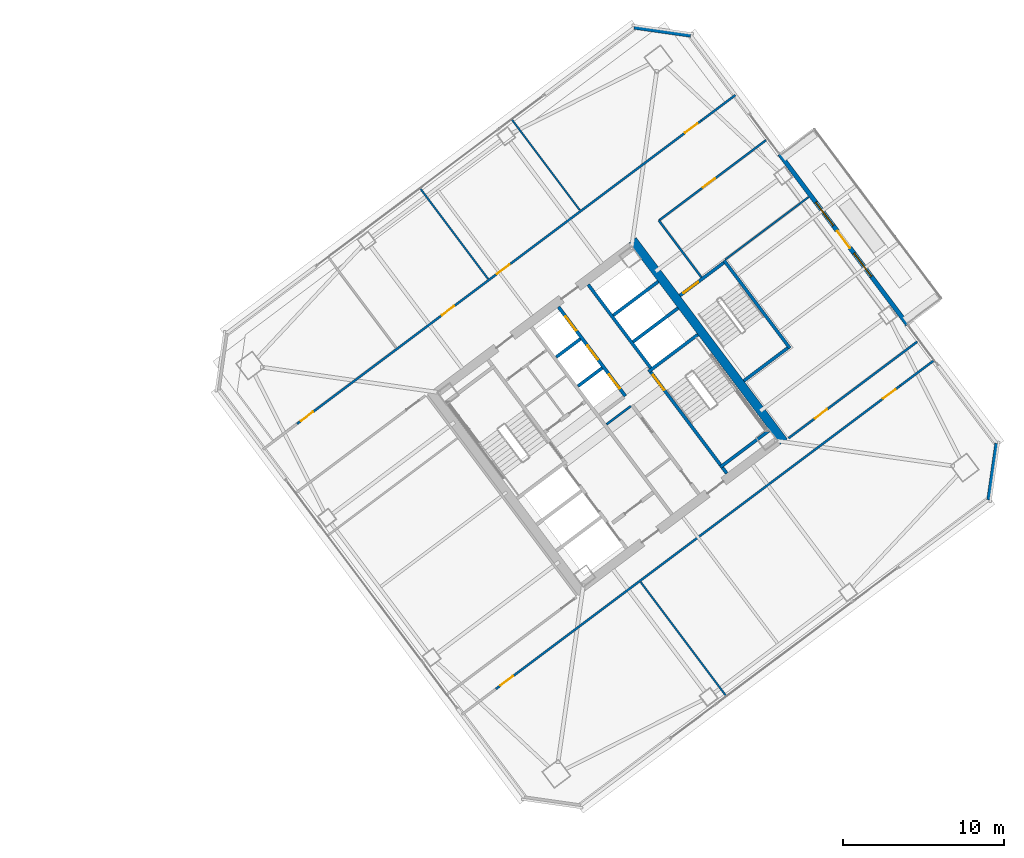
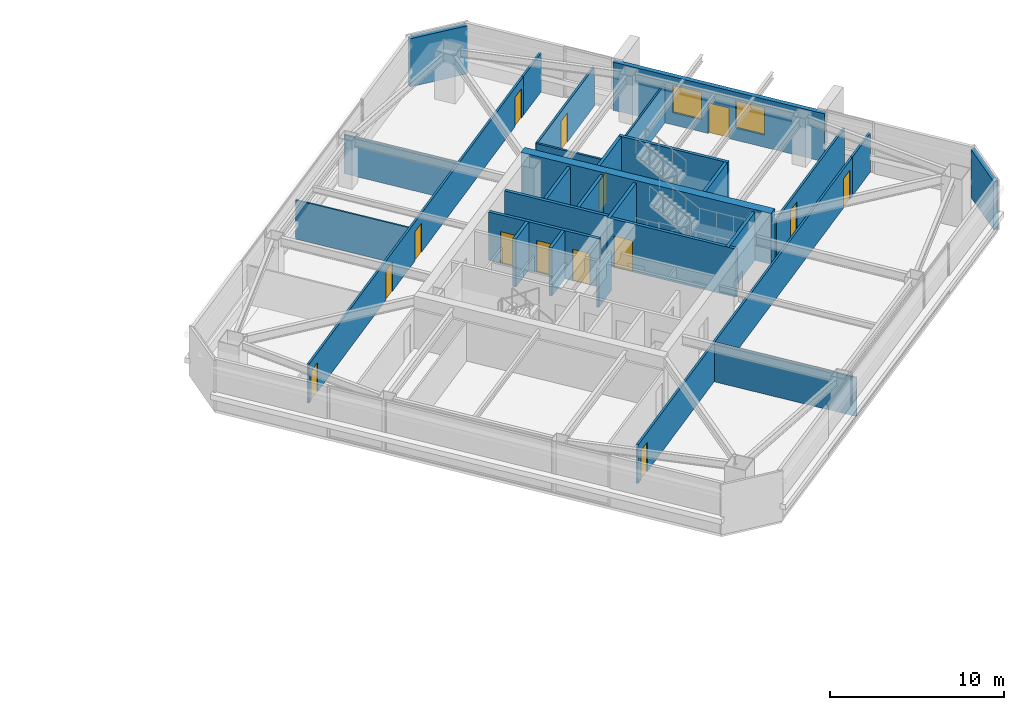
# One storey, part 33 of 41: 28 walls, 14 doors, 2 windows, 16 openings.
"""IFC4 building model written with IfcOpenShell, lengths in metres."""

from ifc_helpers import new_model, si_unit, direction, frame, frame_2d, origin, place, context, subcontext, project, spatial, rectangle, extrude, material, layer, layer_set, type_object, element, fill, save


model = new_model("IFC4")

# Units and contexts
model_context = context("Model", 3, precision=1e-05, world=origin(), true_north=direction((0.0, 1.0)))
body_context = subcontext(model_context, "Body", "Model", "MODEL_VIEW")
ifc_project = project(units=[si_unit("LENGTHUNIT", "METRE"), si_unit("AREAUNIT", "SQUARE_METRE"), si_unit("VOLUMEUNIT", "CUBIC_METRE"), si_unit("PLANEANGLEUNIT", "RADIAN"), si_unit("MASSUNIT", "GRAM", prefix="KILO")], contexts=[model_context])

# Site, building, storey
site_placement = place(None, origin())
site = spatial("IfcSite", under=ifc_project, at=site_placement, CompositionType="ELEMENT")
building_placement = place(site_placement, origin())
building = spatial("IfcBuilding", under=site, at=building_placement, Name="Tashvorn Skyway Center", CompositionType="ELEMENT")
storey_placement = place(building_placement, frame((0.0, 0.0, 146.35009765625)))
storey = spatial("IfcBuildingStorey", under=building, at=storey_placement, Name="L39", CompositionType="ELEMENT", Elevation=146.35009765625)

# Wall
ifc_material_1 = material(Name="Concrete C60/75", Category="concrete")
ifc_layer_1 = layer(ifc_material_1, 0.550048828125)
ifc_layer_set_1 = layer_set([ifc_layer_1], Name="Concrete C60/75")
wall_type_1 = type_object("IfcWallType", Name="WALL-CORE-550", PredefinedType="SHEAR", material=ifc_layer_set_1)
wall_1_placement = place(storey_placement, frame((115.56396484375, 42.923095703125, 0.0), z_axis=(0.0, 0.0, 1.0), x_axis=(0.600005007985, -0.799996243986, 0.0)))
element("IfcWall", 1, at=wall_1_placement, inside=storey, type_object=wall_type_1, Name="Tower 2 L39 East Core Shear Wall", PredefinedType="SHEAR", context=body_context, shape_type="SweptSolid", body=[
    extrude(rectangle(XDim=15.60009765625, YDim=0.550048828125, at=frame_2d((7.800048828125, 0.0))), origin(), (0.0, 0.0, 1.0), 3.5498046875),
])

# Wall, openings, door, windows
ifc_material_2 = material(Name="Precast concrete C40/50", Category="concrete")
ifc_layer_2 = layer(ifc_material_2, 0.280029296875)
ifc_layer_set_2 = layer_set([ifc_layer_2], Name="Precast concrete C40/50")
wall_type_2 = type_object("IfcWallType", Name="WALL-EXT-280", PredefinedType="SOLIDWALL", material=ifc_layer_set_2)
wall_2_placement = place(storey_placement, frame((124.6640625, 48.248046875, 0.0), z_axis=(0.0, 0.0, 1.0), x_axis=(0.599994081423, -0.800004438899, 0.0)))
wall_2 = element("IfcWall", 2, at=wall_2_placement, inside=storey, type_object=wall_type_2, Name="Tower 2 L39 East Sky Garden Loggia Wall", PredefinedType="SOLIDWALL", context=body_context, shape_type="SweptSolid", body=[
    extrude(rectangle(XDim=13.199951171875, YDim=0.280029296875, at=frame_2d((6.60009765625, 0.0))), origin(), (0.0, 0.0, 1.0), 3.369873046875),
])
opening_1_placement = place(wall_2_placement, frame((5.949951171875, 0.0, 0.0)))
opening_1 = element("IfcOpeningElement", 3, at=opening_1_placement, cuts=wall_2, Name="Opening D-TER-1300", PredefinedType="OPENING", context=body_context, shape_type="SweptSolid", body=[
    extrude(rectangle(XDim=1.300048828125, YDim=2.14990234375, at=frame_2d((0.64990234375, 1.074951171875))), frame((0.0, 0.14990234375, 0.0), z_axis=(0.0, -1.0, 0.0), x_axis=(1.0, 0.0, 0.0)), (0.0, 0.0, 1.0), 0.300048828125),
])
opening_2_placement = place(wall_2_placement, frame((3.73193359375, 0.0, 0.85009765625)))
opening_2 = element("IfcOpeningElement", 4, at=opening_2_placement, cuts=wall_2, Name="Opening WIN-1800", PredefinedType="OPENING", context=body_context, shape_type="SweptSolid", body=[
    extrude(rectangle(XDim=1.800048828125, YDim=1.919921875, at=frame_2d((0.89990234375, 0.9599609375))), frame((0.0, 0.14990234375, 0.0), z_axis=(0.0, -1.0, 0.0), x_axis=(1.0, 0.0, 0.0)), (0.0, 0.0, 1.0), 0.300048828125),
])
opening_3_placement = place(wall_2_placement, frame((7.66796875, 0.0, 0.85009765625)))
opening_3 = element("IfcOpeningElement", 5, at=opening_3_placement, cuts=wall_2, Name="Opening WIN-1800", PredefinedType="OPENING", context=body_context, shape_type="SweptSolid", body=[
    extrude(rectangle(XDim=1.800048828125, YDim=1.919921875, at=frame_2d((0.89990234375, 0.9599609375))), frame((0.0, 0.14990234375, 0.0), z_axis=(0.0, -1.0, 0.0), x_axis=(1.0, 0.0, 0.0)), (0.0, 0.0, 1.0), 0.300048828125),
])
ifc_material_3 = material(Name="Thermally broken bronze-anodized aluminium 6063-T6", Category="aluminium")
door_type_1 = type_object("IfcDoorType", Name="DOOR-TERR-1300", OperationType="NOTDEFINED", PredefinedType="DOOR", material=ifc_material_3)
door_1_placement = place(opening_1_placement, origin())
door_1 = element("IfcDoor", 6, at=door_1_placement, inside=storey, type_object=door_type_1, Name="Tower 2 L39 Sky Garden Access Door", OperationType="SINGLE_SWING_RIGHT", OverallHeight=2.14990234375, OverallWidth=1.300048828125, PredefinedType="DOOR", context=body_context, shape_type="SweptSolid", body=[
    extrude(rectangle(XDim=1.300048828125, YDim=2.14990234375, at=frame_2d((0.64990234375, 1.074951171875))), frame((0.0, 0.02490234375, 0.0), z_axis=(0.0, -1.0, 0.0), x_axis=(1.0, 0.0, 0.0)), (0.0, 0.0, 1.0), 0.050048828125),
])
fill(opening_1, door_1)
ifc_material_4 = material(Name="Low-E solar-control double insulating safety glass", Category="glass")
window_type = type_object("IfcWindowType", Name="WIN-TERR-1800", PartitioningType="SINGLE_PANEL", PredefinedType="WINDOW", material=ifc_material_4)
window_1_placement = place(opening_2_placement, origin())
window_1 = element("IfcWindow", 7, at=window_1_placement, inside=storey, type_object=window_type, Name="Tower 2 L39 Sky Garden Window", OverallHeight=1.919921875, OverallWidth=1.800048828125, PartitioningType="SINGLE_PANEL", PredefinedType="WINDOW", context=body_context, shape_type="SweptSolid", body=[
    extrude(rectangle(XDim=1.800048828125, YDim=1.919921875, at=frame_2d((0.89990234375, 0.9599609375))), frame((0.0, 0.030029296875, 0.0), z_axis=(0.0, -1.0, 0.0), x_axis=(1.0, 0.0, 0.0)), (0.0, 0.0, 1.0), 0.06005859375),
])
fill(opening_2, window_1)
window_2_placement = place(opening_3_placement, origin())
window_2 = element("IfcWindow", 8, at=window_2_placement, inside=storey, type_object=window_type, Name="Tower 2 L39 Sky Garden Second Window", OverallHeight=1.919921875, OverallWidth=1.800048828125, PartitioningType="SINGLE_PANEL", PredefinedType="WINDOW", context=body_context, shape_type="SweptSolid", body=[
    extrude(rectangle(XDim=1.800048828125, YDim=1.919921875, at=frame_2d((0.89990234375, 0.9599609375))), frame((0.0, 0.030029296875, 0.0), z_axis=(0.0, -1.0, 0.0), x_axis=(1.0, 0.0, 0.0)), (0.0, 0.0, 1.0), 0.06005859375),
])
fill(opening_3, window_2)

# Walls
for number, where, z_axis, x_axis, name in (
    (9, (115.659912109375, 56.1201171875, 0.0), (0.0, 0.0, 1.0), (0.989949493661, -0.141421356237, 0.0), "Tower 2 L39 NE Precast Chamfer Wall"),
    (10, (138.1201171875, 30.340087890625, 0.0), (0.0, 0.0, 1.0), (-0.141421356237, -0.989949493661, 0.0), "Tower 2 L39 SE Precast Chamfer Wall"),
):
    element("IfcWall", number, at=place(storey_placement, frame(where, z_axis=z_axis, x_axis=x_axis)), inside=storey, type_object=wall_type_2, Name=name, PredefinedType="SOLIDWALL", context=body_context, shape_type="SweptSolid", body=[
        extrude(rectangle(XDim=3.53564453125, YDim=0.280029296875, at=frame_2d((1.767822265625, 0.0))), origin(), (0.0, 0.0, 1.0), 3.369873046875),
    ])
ifc_material_5 = material(Name="Gypsum board on cold-formed steel stud framing", Category="steel")
ifc_layer_3 = layer(ifc_material_5, 0.110107421875)
ifc_layer_set_3 = layer_set([ifc_layer_3], Name="Gypsum board on cold-formed steel stud framing")
wall_type_3 = type_object("IfcWallType", Name="WALL-PART-110", PredefinedType="PARTITIONING", material=ifc_layer_set_3)
for number, where, z_axis, x_axis, name in (
    (11, (106.610107421875, 40.52001953125, 0.0), (0.0, 0.0, 1.0), (-0.6, 0.8, 0.0), "Tower 2 L39 North Suite Partition 2"),
    (12, (112.2900390625, 44.780029296875, 0.0), (0.0, 0.0, 1.0), (-0.6, 0.8, 0.0), "Tower 2 L39 North Suite Partition 3"),
):
    element("IfcWall", number, at=place(storey_placement, frame(where, z_axis=z_axis, x_axis=x_axis)), inside=storey, type_object=wall_type_3, Name=name, PredefinedType="PARTITIONING", context=body_context, shape_type="SweptSolid", body=[
        extrude(rectangle(XDim=7.030029296875, YDim=0.110107421875, at=frame_2d((3.51513671875, 0.0))), origin(), (0.0, 0.0, 1.0), 2.722900390625),
    ])
wall_3_placement = place(storey_placement, frame((121.367919921875, 14.676025390625, 0.0), z_axis=(0.0, 0.0, 1.0), x_axis=(-0.599982344389, 0.800013241404, 0.0)))
element("IfcWall", 13, at=wall_3_placement, inside=storey, type_object=wall_type_3, Name="Tower 2 L39 South Suite Partition 1", PredefinedType="PARTITIONING", context=body_context, shape_type="SweptSolid", body=[
    extrude(rectangle(XDim=8.849853515625, YDim=0.110107421875, at=frame_2d((4.4248046875, 0.0))), origin(), (0.0, 0.0, 1.0), 2.722900390625),
])
wall_4_placement = place(storey_placement, frame((126.464111328125, 45.597900390625, 0.0), z_axis=(0.0, 0.0, 1.0), x_axis=(-0.8000181681, -0.599975775102, 0.0)))
element("IfcWall", 14, at=wall_4_placement, inside=storey, type_object=wall_type_3, Name="Tower 2 L39 East Suite Partition 1", PredefinedType="PARTITIONING", context=body_context, shape_type="SweptSolid", body=[
    extrude(rectangle(XDim=6.449951171875, YDim=0.110107421875, at=frame_2d((3.22509765625, 0.0))), origin(), (0.0, 0.0, 1.0), 2.722900390625),
])
ifc_layer_4 = layer(ifc_material_5, 0.135009765625)
ifc_layer_set_4 = layer_set([ifc_layer_4], Name="Gypsum board on cold-formed steel stud framing")
wall_type_4 = type_object("IfcWallType", Name="WALL-PART-135", PredefinedType="PARTITIONING", material=ifc_layer_set_4)
wall_5_placement = place(storey_placement, frame((119.823974609375, 40.617919921875, 0.0), z_axis=(0.0, 0.0, 1.0), x_axis=(-0.599982243973, 0.800013316712, 0.0)))
element("IfcWall", 15, at=wall_5_placement, inside=storey, type_object=wall_type_4, Name="Tower 2 L39 Stair 3 Access Corridor Wall", PredefinedType="PARTITIONING", context=body_context, shape_type="SweptSolid", body=[
    extrude(rectangle(XDim=4.39990234375, YDim=0.135009765625, at=frame_2d((2.199951171875, 0.0))), origin(), (0.0, 0.0, 1.0), 2.722900390625),
])

# Wall, openings, doors
wall_6_placement = place(storey_placement, frame((94.778076171875, 31.5458984375, 0.0), z_axis=(0.0, 0.0, 1.0), x_axis=(0.8, 0.6, 0.0)))
wall_6 = element("IfcWall", 16, at=wall_6_placement, inside=storey, type_object=wall_type_4, Name="Tower 2 L39 North Suite Wall", PredefinedType="PARTITIONING", context=body_context, shape_type="SweptSolid", body=[
    extrude(rectangle(XDim=31.300048828125, YDim=0.135009765625, at=frame_2d((15.64990234375, 0.0))), origin(), (0.0, 0.0, 1.0), 2.722900390625),
])
opening_4_placement = place(wall_6_placement, frame((0.300048828125, 0.0, 0.0)))
opening_4 = element("IfcOpeningElement", 17, at=opening_4_placement, cuts=wall_6, Name="Opening D-INT-950", PredefinedType="OPENING", context=body_context, shape_type="SweptSolid", body=[
    extrude(rectangle(XDim=0.949951171875, YDim=2.050048828125, at=frame_2d((0.47509765625, 1.02490234375))), frame((0.0, 0.077392578125, 0.0), z_axis=(0.0, -1.0, 0.0), x_axis=(1.0, 0.0, 0.0)), (0.0, 0.0, 1.0), 0.155029296875),
])
opening_5_placement = place(wall_6_placement, frame((11.2099609375, 0.0, 0.0)))
opening_5 = element("IfcOpeningElement", 18, at=opening_5_placement, cuts=wall_6, Name="Opening D-INT-950", PredefinedType="OPENING", context=body_context, shape_type="SweptSolid", body=[
    extrude(rectangle(XDim=0.949951171875, YDim=2.050048828125, at=frame_2d((0.47509765625, 1.02490234375))), frame((0.0, 0.077392578125, 0.0), z_axis=(0.0, -1.0, 0.0), x_axis=(1.0, 0.0, 0.0)), (0.0, 0.0, 1.0), 0.155029296875),
])
opening_6_placement = place(wall_6_placement, frame((15.48681640625, 0.0, 0.0)))
opening_6 = element("IfcOpeningElement", 19, at=opening_6_placement, cuts=wall_6, Name="Opening D-INT-950", PredefinedType="OPENING", context=body_context, shape_type="SweptSolid", body=[
    extrude(rectangle(XDim=0.949951171875, YDim=2.050048828125, at=frame_2d((0.47509765625, 1.02490234375))), frame((0.0, 0.077392578125, 0.0), z_axis=(0.0, -1.0, 0.0), x_axis=(1.0, 0.0, 0.0)), (0.0, 0.0, 1.0), 0.155029296875),
])
opening_7_placement = place(wall_6_placement, frame((30.050048828125, 0.0, 0.0)))
opening_7 = element("IfcOpeningElement", 20, at=opening_7_placement, cuts=wall_6, Name="Opening D-INT-950", PredefinedType="OPENING", context=body_context, shape_type="SweptSolid", body=[
    extrude(rectangle(XDim=0.949951171875, YDim=2.050048828125, at=frame_2d((0.47509765625, 1.02490234375))), frame((0.0, 0.077392578125, 0.0), z_axis=(0.0, -1.0, 0.0), x_axis=(1.0, 0.0, 0.0)), (0.0, 0.0, 1.0), 0.155029296875),
])
ifc_material_6 = material(Name="Solid-core architectural oak veneer door")
door_type_2 = type_object("IfcDoorType", Name="DOOR-INT-950", OperationType="NOTDEFINED", PredefinedType="DOOR", material=ifc_material_6)
door_2_placement = place(opening_4_placement, origin())
door_2 = element("IfcDoor", 21, at=door_2_placement, inside=storey, type_object=door_type_2, Name="Tower 2 L39 Gallery Showroom Door", OperationType="SINGLE_SWING_LEFT", OverallHeight=2.050048828125, OverallWidth=0.949951171875, PredefinedType="DOOR", context=body_context, shape_type="SweptSolid", body=[
    extrude(rectangle(XDim=0.949951171875, YDim=2.050048828125, at=frame_2d((0.47509765625, 1.02490234375))), frame((0.0, 0.02490234375, 0.0), z_axis=(0.0, -1.0, 0.0), x_axis=(1.0, 0.0, 0.0)), (0.0, 0.0, 1.0), 0.050048828125),
])
fill(opening_4, door_2)
door_3_placement = place(opening_5_placement, origin())
door_3 = element("IfcDoor", 22, at=door_3_placement, inside=storey, type_object=door_type_2, Name="Tower 2 L39 Gallery Showroom Door", OperationType="SINGLE_SWING_RIGHT", OverallHeight=2.050048828125, OverallWidth=0.949951171875, PredefinedType="DOOR", context=body_context, shape_type="SweptSolid", body=[
    extrude(rectangle(XDim=0.949951171875, YDim=2.050048828125, at=frame_2d((0.47509765625, 1.02490234375))), frame((0.0, 0.02490234375, 0.0), z_axis=(0.0, -1.0, 0.0), x_axis=(1.0, 0.0, 0.0)), (0.0, 0.0, 1.0), 0.050048828125),
])
fill(opening_5, door_3)
door_4_placement = place(opening_6_placement, origin())
door_4 = element("IfcDoor", 23, at=door_4_placement, inside=storey, type_object=door_type_2, Name="Tower 2 L39 Security Control Room Door", OperationType="SINGLE_SWING_LEFT", OverallHeight=2.050048828125, OverallWidth=0.949951171875, PredefinedType="DOOR", context=body_context, shape_type="SweptSolid", body=[
    extrude(rectangle(XDim=0.949951171875, YDim=2.050048828125, at=frame_2d((0.47509765625, 1.02490234375))), frame((0.0, 0.02490234375, 0.0), z_axis=(0.0, -1.0, 0.0), x_axis=(1.0, 0.0, 0.0)), (0.0, 0.0, 1.0), 0.050048828125),
])
fill(opening_6, door_4)
door_5_placement = place(opening_7_placement, origin())
door_5 = element("IfcDoor", 24, at=door_5_placement, inside=storey, type_object=door_type_2, Name="Tower 2 L39 Conference Room Door", OperationType="SINGLE_SWING_RIGHT", OverallHeight=2.050048828125, OverallWidth=0.949951171875, PredefinedType="DOOR", context=body_context, shape_type="SweptSolid", body=[
    extrude(rectangle(XDim=0.949951171875, YDim=2.050048828125, at=frame_2d((0.47509765625, 1.02490234375))), frame((0.0, 0.02490234375, 0.0), z_axis=(0.0, -1.0, 0.0), x_axis=(1.0, 0.0, 0.0)), (0.0, 0.0, 1.0), 0.050048828125),
])
fill(opening_7, door_5)

# Wall
wall_7_placement = place(storey_placement, frame((119.818115234375, 50.325927734375, 0.0), z_axis=(0.0, 0.0, 1.0), x_axis=(0.799977721118, 0.600029704027, 0.0)))
element("IfcWall", 25, at=wall_7_placement, inside=storey, type_object=wall_type_4, Name="Tower 2 L39 North-East Suite South Wall", PredefinedType="PARTITIONING", context=body_context, shape_type="SweptSolid", body=[
    extrude(rectangle(XDim=2.630126953125, YDim=0.135009765625, at=frame_2d((1.31494140625, 0.0))), origin(), (0.0, 0.0, 1.0), 2.722900390625),
])

# Wall, openings, doors
wall_8_placement = place(storey_placement, frame((132.1298828125, 33.909912109375, 0.0), z_axis=(0.0, 0.0, 1.0), x_axis=(-0.799997191971, -0.600003744021, 0.0)))
wall_8 = element("IfcWall", 26, at=wall_8_placement, inside=storey, type_object=wall_type_4, Name="Tower 2 L39 South Suite Wall", PredefinedType="PARTITIONING", context=body_context, shape_type="SweptSolid", body=[
    extrude(rectangle(XDim=31.2998046875, YDim=0.135009765625, at=frame_2d((15.64990234375, 0.0))), origin(), (0.0, 0.0, 1.0), 2.722900390625),
])
opening_8_placement = place(wall_8_placement, frame((29.969970703125, 0.0, 0.0)))
opening_8 = element("IfcOpeningElement", 27, at=opening_8_placement, cuts=wall_8, Name="Opening D-INT-950", PredefinedType="OPENING", context=body_context, shape_type="SweptSolid", body=[
    extrude(rectangle(XDim=0.949951171875, YDim=2.050048828125, at=frame_2d((0.47509765625, 1.02490234375))), frame((0.0, 0.077392578125, 0.0), z_axis=(0.0, -1.0, 0.0), x_axis=(1.0, 0.0, 0.0)), (0.0, 0.0, 1.0), 0.155029296875),
])
opening_9_placement = place(wall_8_placement, frame((0.3798828125, 0.0, 0.0)))
opening_9 = element("IfcOpeningElement", 28, at=opening_9_placement, cuts=wall_8, Name="Opening D-INT-950", PredefinedType="OPENING", context=body_context, shape_type="SweptSolid", body=[
    extrude(rectangle(XDim=0.949951171875, YDim=2.050048828125, at=frame_2d((0.47509765625, 1.02490234375))), frame((0.0, 0.077392578125, 0.0), z_axis=(0.0, -1.0, 0.0), x_axis=(1.0, 0.0, 0.0)), (0.0, 0.0, 1.0), 0.155029296875),
])
door_6_placement = place(opening_8_placement, origin())
door_6 = element("IfcDoor", 29, at=door_6_placement, inside=storey, type_object=door_type_2, Name="Tower 2 L39 Gallery Showroom Door", OperationType="SINGLE_SWING_LEFT", OverallHeight=2.050048828125, OverallWidth=0.949951171875, PredefinedType="DOOR", context=body_context, shape_type="SweptSolid", body=[
    extrude(rectangle(XDim=0.949951171875, YDim=2.050048828125, at=frame_2d((0.47509765625, 1.02490234375))), frame((0.0, 0.02490234375, 0.0), z_axis=(0.0, -1.0, 0.0), x_axis=(1.0, 0.0, 0.0)), (0.0, 0.0, 1.0), 0.050048828125),
])
fill(opening_8, door_6)
door_7_placement = place(opening_9_placement, origin())
door_7 = element("IfcDoor", 30, at=door_7_placement, inside=storey, type_object=door_type_2, Name="Tower 2 L39 Security Control Room Door", OperationType="SINGLE_SWING_RIGHT", OverallHeight=2.050048828125, OverallWidth=0.949951171875, PredefinedType="DOOR", context=body_context, shape_type="SweptSolid", body=[
    extrude(rectangle(XDim=0.949951171875, YDim=2.050048828125, at=frame_2d((0.47509765625, 1.02490234375))), frame((0.0, 0.02490234375, 0.0), z_axis=(0.0, -1.0, 0.0), x_axis=(1.0, 0.0, 0.0)), (0.0, 0.0, 1.0), 0.050048828125),
])
fill(opening_9, door_7)

# Wall
wall_9_placement = place(storey_placement, frame((132.1298828125, 33.909912109375, 0.0), z_axis=(0.0, 0.0, 1.0), x_axis=(0.799977721118, 0.600029704027, 0.0)))
element("IfcWall", 31, at=wall_9_placement, inside=storey, type_object=wall_type_4, Name="Tower 2 L39 South-East Suite North Wall", PredefinedType="PARTITIONING", context=body_context, shape_type="SweptSolid", body=[
    extrude(rectangle(XDim=2.630126953125, YDim=0.135009765625, at=frame_2d((1.31494140625, 0.0))), origin(), (0.0, 0.0, 1.0), 2.722900390625),
])

# Wall, opening, door
wall_10_placement = place(storey_placement, frame((123.823974609375, 49.117919921875, 0.0), z_axis=(0.0, 0.0, 1.0), x_axis=(-0.799996470201, -0.60000470637, 0.0)))
wall_10 = element("IfcWall", 32, at=wall_10_placement, inside=storey, type_object=wall_type_4, Name="Tower 2 L39 East Suite North Wall", PredefinedType="PARTITIONING", context=body_context, shape_type="SweptSolid", body=[
    extrude(rectangle(XDim=8.2998046875, YDim=0.135009765625, at=frame_2d((4.14990234375, 0.0))), origin(), (0.0, 0.0, 1.0), 2.722900390625),
])
opening_10_placement = place(wall_10_placement, frame((3.949951171875, 0.0, 0.0)))
opening_10 = element("IfcOpeningElement", 33, at=opening_10_placement, cuts=wall_10, Name="Opening D-INT-950", PredefinedType="OPENING", context=body_context, shape_type="SweptSolid", body=[
    extrude(rectangle(XDim=0.949951171875, YDim=2.050048828125, at=frame_2d((0.47509765625, 1.02490234375))), frame((0.0, 0.077392578125, 0.0), z_axis=(0.0, -1.0, 0.0), x_axis=(1.0, 0.0, 0.0)), (0.0, 0.0, 1.0), 0.155029296875),
])
door_8_placement = place(opening_10_placement, origin())
door_8 = element("IfcDoor", 34, at=door_8_placement, inside=storey, type_object=door_type_2, Name="Tower 2 L39 Conference Room Door", OperationType="SINGLE_SWING_LEFT", OverallHeight=2.050048828125, OverallWidth=0.949951171875, PredefinedType="DOOR", context=body_context, shape_type="SweptSolid", body=[
    extrude(rectangle(XDim=0.949951171875, YDim=2.050048828125, at=frame_2d((0.47509765625, 1.02490234375))), frame((0.0, 0.02490234375, 0.0), z_axis=(0.0, -1.0, 0.0), x_axis=(1.0, 0.0, 0.0)), (0.0, 0.0, 1.0), 0.050048828125),
])
fill(opening_10, door_8)

wall_11_placement = place(storey_placement, frame((125.2080078125, 30.656005859375, 0.0), z_axis=(0.0, 0.0, 1.0), x_axis=(0.800005876956, 0.599992163979, 0.0)))
wall_11 = element("IfcWall", 35, at=wall_11_placement, inside=storey, type_object=wall_type_4, Name="Tower 2 L39 East Suite South Wall", PredefinedType="PARTITIONING", context=body_context, shape_type="SweptSolid", body=[
    extrude(rectangle(XDim=9.969970703125, YDim=0.135009765625, at=frame_2d((4.98486328125, 0.0))), origin(), (0.0, 0.0, 1.0), 2.722900390625),
])
opening_11_placement = place(wall_11_placement, frame((2.044921875, 0.0, 0.0)))
opening_11 = element("IfcOpeningElement", 36, at=opening_11_placement, cuts=wall_11, Name="Opening D-INT-950", PredefinedType="OPENING", context=body_context, shape_type="SweptSolid", body=[
    extrude(rectangle(XDim=0.949951171875, YDim=2.050048828125, at=frame_2d((0.47509765625, 1.02490234375))), frame((0.0, 0.077392578125, 0.0), z_axis=(0.0, -1.0, 0.0), x_axis=(1.0, 0.0, 0.0)), (0.0, 0.0, 1.0), 0.155029296875),
])
door_9_placement = place(opening_11_placement, origin())
door_9 = element("IfcDoor", 37, at=door_9_placement, inside=storey, type_object=door_type_2, Name="Tower 2 L39 Public Restroom Door", OperationType="SINGLE_SWING_RIGHT", OverallHeight=2.050048828125, OverallWidth=0.949951171875, PredefinedType="DOOR", context=body_context, shape_type="SweptSolid", body=[
    extrude(rectangle(XDim=0.949951171875, YDim=2.050048828125, at=frame_2d((0.47509765625, 1.02490234375))), frame((0.0, 0.02490234375, 0.0), z_axis=(0.0, -1.0, 0.0), x_axis=(1.0, 0.0, 0.0)), (0.0, 0.0, 1.0), 0.050048828125),
])
fill(opening_11, door_9)

# Walls
ifc_layer_5 = layer(ifc_material_5, 0.135009765625)
ifc_layer_set_5 = layer_set([ifc_layer_5], Name="Gypsum board on cold-formed steel stud framing")
wall_type_5 = type_object("IfcWallType", Name="WALL-RATED-135", PredefinedType="PARTITIONING", material=ifc_layer_set_5)
wall_12_placement = place(storey_placement, frame((113.946044921875, 31.52197265625, 0.0), z_axis=(0.0, 0.0, 1.0), x_axis=(0.8, 0.6, 0.0)))
element("IfcWall", 38, at=wall_12_placement, inside=storey, type_object=wall_type_5, Name="Tower 2 L39 Core Room Partition", PredefinedType="PARTITIONING", context=body_context, shape_type="SweptSolid", body=[
    extrude(rectangle(XDim=1.8798828125, YDim=0.135009765625, at=frame_2d((0.93994140625, 0.0))), origin(), (0.0, 0.0, 1.0), 2.722900390625),
])
ifc_material_7 = material(Name="Concrete C40/50", Category="concrete")
ifc_layer_6 = layer(ifc_material_7, 0.199951171875)
ifc_layer_set_6 = layer_set([ifc_layer_6], Name="Concrete C40/50")
wall_type_6 = type_object("IfcWallType", Name="WALL-SHAFT-200", PredefinedType="SOLIDWALL", material=ifc_layer_set_6)
for number, where, z_axis, x_axis, name in (
    (39, (115.590087890625, 36.6298828125, 0.0), (0.0, 0.0, 1.0), (0.799974743577, 0.600033673754, 0.0), "Tower 2 L39 High-Rise Shaft Divider"),
    (40, (114.360107421875, 38.27001953125, 0.0), (0.0, 0.0, 1.0), (0.800008418847, 0.599988774707, 0.0), "Tower 2 L39 High-Rise Shaft Divider"),
):
    element("IfcWall", number, at=place(storey_placement, frame(where, z_axis=z_axis, x_axis=x_axis)), inside=storey, type_object=wall_type_6, Name=name, PredefinedType="SOLIDWALL", context=body_context, shape_type="SweptSolid", body=[
        extrude(rectangle(XDim=3.47998046875, YDim=0.199951171875, at=frame_2d((1.739990234375, 0.0))), origin(), (0.0, 0.0, 1.0), 3.369873046875),
    ])

# Wall, openings, doors
wall_13_placement = place(storey_placement, frame((115.110107421875, 33.27001953125, 0.0), z_axis=(0.0, 0.0, 1.0), x_axis=(-0.600011322243, 0.799991508192, 0.0)))
wall_13 = element("IfcWall", 41, at=wall_13_placement, inside=storey, type_object=wall_type_6, Name="Tower 2 L39 Mid-Rise Core Wall", PredefinedType="SOLIDWALL", context=body_context, shape_type="SweptSolid", body=[
    extrude(rectangle(XDim=6.900146484375, YDim=0.199951171875, at=frame_2d((3.4501953125, 0.0))), origin(), (0.0, 0.0, 1.0), 3.369873046875),
])
opening_12_placement = place(wall_13_placement, frame((0.574951171875, 0.0, 0.0)))
opening_12 = element("IfcOpeningElement", 42, at=opening_12_placement, cuts=wall_13, Name="Opening LD-MR-T2-1-L39", PredefinedType="OPENING", context=body_context, shape_type="SweptSolid", body=[
    extrude(rectangle(XDim=1.10009765625, YDim=2.199951171875, at=frame_2d((0.550048828125, 1.10009765625))), frame((0.0, 0.10986328125, 0.0), z_axis=(0.0, -1.0, 0.0), x_axis=(1.0, 0.0, 0.0)), (0.0, 0.0, 1.0), 0.219970703125),
])
opening_13_placement = place(wall_13_placement, frame((2.824951171875, 0.0, 0.0)))
opening_13 = element("IfcOpeningElement", 43, at=opening_13_placement, cuts=wall_13, Name="Opening LD-MR-T2-2-L39", PredefinedType="OPENING", context=body_context, shape_type="SweptSolid", body=[
    extrude(rectangle(XDim=1.10009765625, YDim=2.199951171875, at=frame_2d((0.550048828125, 1.10009765625))), frame((0.0, 0.10986328125, 0.0), z_axis=(0.0, -1.0, 0.0), x_axis=(1.0, 0.0, 0.0)), (0.0, 0.0, 1.0), 0.219970703125),
])
opening_14_placement = place(wall_13_placement, frame((5.074951171875, 0.0, 0.0)))
opening_14 = element("IfcOpeningElement", 44, at=opening_14_placement, cuts=wall_13, Name="Opening LD-MR-T2-3-L39", PredefinedType="OPENING", context=body_context, shape_type="SweptSolid", body=[
    extrude(rectangle(XDim=1.10009765625, YDim=2.199951171875, at=frame_2d((0.550048828125, 1.10009765625))), frame((0.0, 0.10986328125, 0.0), z_axis=(0.0, -1.0, 0.0), x_axis=(1.0, 0.0, 0.0)), (0.0, 0.0, 1.0), 0.219970703125),
])
ifc_material_8 = material(Name="Stainless steel landing door", Category="steel")
door_type_3 = type_object("IfcDoorType", Name="DOOR-LIFT-1100", OperationType="SLIDING_TO_LEFT", PredefinedType="DOOR", material=ifc_material_8)
door_10_placement = place(opening_12_placement, origin())
door_10 = element("IfcDoor", 45, at=door_10_placement, inside=storey, type_object=door_type_3, Name="Lift MR-T2-1 L39 Landing Door", OperationType="SLIDING_TO_LEFT", OverallHeight=2.199951171875, OverallWidth=1.10009765625, PredefinedType="DOOR", context=body_context, shape_type="SweptSolid", body=[
    extrude(rectangle(XDim=1.10009765625, YDim=2.199951171875, at=frame_2d((0.550048828125, 1.10009765625))), frame((0.0, 0.02490234375, 0.0), z_axis=(0.0, -1.0, 0.0), x_axis=(1.0, 0.0, 0.0)), (0.0, 0.0, 1.0), 0.050048828125),
])
fill(opening_12, door_10)
door_11_placement = place(opening_13_placement, origin())
door_11 = element("IfcDoor", 46, at=door_11_placement, inside=storey, type_object=door_type_3, Name="Lift MR-T2-2 L39 Landing Door", OperationType="SLIDING_TO_LEFT", OverallHeight=2.199951171875, OverallWidth=1.10009765625, PredefinedType="DOOR", context=body_context, shape_type="SweptSolid", body=[
    extrude(rectangle(XDim=1.10009765625, YDim=2.199951171875, at=frame_2d((0.550048828125, 1.10009765625))), frame((0.0, 0.02490234375, 0.0), z_axis=(0.0, -1.0, 0.0), x_axis=(1.0, 0.0, 0.0)), (0.0, 0.0, 1.0), 0.050048828125),
])
fill(opening_13, door_11)
door_12_placement = place(opening_14_placement, origin())
door_12 = element("IfcDoor", 47, at=door_12_placement, inside=storey, type_object=door_type_3, Name="Lift MR-T2-3 L39 Landing Door", OperationType="SLIDING_TO_LEFT", OverallHeight=2.199951171875, OverallWidth=1.10009765625, PredefinedType="DOOR", context=body_context, shape_type="SweptSolid", body=[
    extrude(rectangle(XDim=1.10009765625, YDim=2.199951171875, at=frame_2d((0.550048828125, 1.10009765625))), frame((0.0, 0.02490234375, 0.0), z_axis=(0.0, -1.0, 0.0), x_axis=(1.0, 0.0, 0.0)), (0.0, 0.0, 1.0), 0.050048828125),
])
fill(opening_14, door_12)

# Walls
wall_14_placement = place(storey_placement, frame((112.176025390625, 33.882080078125, 0.0), z_axis=(0.0, 0.0, 1.0), x_axis=(0.8, 0.6, 0.0)))
element("IfcWall", 48, at=wall_14_placement, inside=storey, type_object=wall_type_6, Name="Tower 2 L39 Mid-Rise Shaft Divider", PredefinedType="SOLIDWALL", context=body_context, shape_type="SweptSolid", body=[
    extrude(rectangle(XDim=1.8798828125, YDim=0.199951171875, at=frame_2d((0.93994140625, 0.0))), origin(), (0.0, 0.0, 1.0), 3.369873046875),
])
wall_15_placement = place(storey_placement, frame((110.825927734375, 35.681884765625, 0.0), z_axis=(0.0, 0.0, 1.0), x_axis=(0.799984418148, 0.600020775241, 0.0)))
element("IfcWall", 49, at=wall_15_placement, inside=storey, type_object=wall_type_6, Name="Tower 2 L39 Mid-Rise Shaft Divider", PredefinedType="SOLIDWALL", context=body_context, shape_type="SweptSolid", body=[
    extrude(rectangle(XDim=1.880126953125, YDim=0.199951171875, at=frame_2d((0.93994140625, 0.0))), origin(), (0.0, 0.0, 1.0), 3.369873046875),
])

# Wall, opening, door
ifc_layer_7 = layer(ifc_material_7, 0.199951171875)
ifc_layer_set_7 = layer_set([ifc_layer_7], Name="Concrete C40/50")
wall_type_7 = type_object("IfcWallType", Name="WALL-STSHF-200", PredefinedType="SHEAR", material=ifc_layer_set_7)
wall_16_placement = place(storey_placement, frame((116.56005859375, 34.919921875, 0.0), z_axis=(0.0, 0.0, 1.0), x_axis=(0.59999029481, -0.8000072788, 0.0)))
wall_16 = element("IfcWall", 50, at=wall_16_placement, inside=storey, type_object=wall_type_7, Name="Tower 2 L39 Stair 2 Enclosure Wall", PredefinedType="SHEAR", context=body_context, shape_type="SweptSolid", body=[
    extrude(rectangle(XDim=8.0498046875, YDim=0.199951171875, at=frame_2d((4.02490234375, 0.0))), origin(), (0.0, 0.0, 1.0), 3.369873046875),
])
opening_15_placement = place(wall_16_placement, frame((0.449951171875, 0.0, 0.0)))
opening_15 = element("IfcOpeningElement", 51, at=opening_15_placement, cuts=wall_16, Name="Opening D-ST-1150", PredefinedType="OPENING", context=body_context, shape_type="SweptSolid", body=[
    extrude(rectangle(XDim=1.14990234375, YDim=2.199951171875, at=frame_2d((0.574951171875, 1.10009765625))), frame((0.0, 0.10986328125, 0.0), z_axis=(0.0, -1.0, 0.0), x_axis=(1.0, 0.0, 0.0)), (0.0, 0.0, 1.0), 0.219970703125),
])
ifc_material_9 = material(Name="Hollow galvanized steel fire door assembly", Category="steel")
door_type_4 = type_object("IfcDoorType", Name="DOOR-STAIR-1150", OperationType="NOTDEFINED", PredefinedType="DOOR", material=ifc_material_9)
door_13_placement = place(opening_15_placement, origin())
door_13 = element("IfcDoor", 52, at=door_13_placement, inside=storey, type_object=door_type_4, Name="Tower 2 L39 Exit Stair 2 Door", OperationType="SINGLE_SWING_RIGHT", OverallHeight=2.199951171875, OverallWidth=1.14990234375, PredefinedType="DOOR", context=body_context, shape_type="SweptSolid", body=[
    extrude(rectangle(XDim=1.14990234375, YDim=2.199951171875, at=frame_2d((0.574951171875, 1.10009765625))), frame((0.0, 0.02490234375, 0.0), z_axis=(0.0, -1.0, 0.0), x_axis=(1.0, 0.0, 0.0)), (0.0, 0.0, 1.0), 0.050048828125),
])
fill(opening_15, door_13)

# Walls
for number, where, z_axis, x_axis, name in (
    (53, (116.5400390625, 34.780029296875, 0.0), (0.0, 0.0, 1.0), (0.800015298837, 0.599979601008, 0.0), "Tower 2 L39 Stair 2 North Wall"),
    (54, (120.97998046875, 28.860107421875, 0.0), (0.0, 0.0, 1.0), (0.800015298837, 0.599979601008, 0.0), "Tower 2 L39 Stair 2 South Wall"),
):
    element("IfcWall", number, at=place(storey_placement, frame(where, z_axis=z_axis, x_axis=x_axis)), inside=storey, type_object=wall_type_7, Name=name, PredefinedType="SHEAR", context=body_context, shape_type="SweptSolid", body=[
        extrude(rectangle(XDim=3.829833984375, YDim=0.199951171875, at=frame_2d((1.9150390625, 0.0))), origin(), (0.0, 0.0, 1.0), 3.369873046875),
    ])
wall_17_placement = place(storey_placement, frame((112.81005859375, 40.169921875, 0.0), z_axis=(0.0, 0.0, 1.0), x_axis=(0.599993943644, -0.800004542231, 0.0)))
element("IfcWall", 55, at=wall_17_placement, inside=storey, type_object=wall_type_7, Name="Tower 2 L39 High-Rise Lift Shaft Front Wall", PredefinedType="SHEAR", context=body_context, shape_type="SweptSolid", body=[
    extrude(rectangle(XDim=6.449951171875, YDim=0.199951171875, at=frame_2d((3.22509765625, 0.0))), origin(), (0.0, 0.0, 1.0), 3.369873046875),
])
wall_18_placement = place(storey_placement, frame((125.303955078125, 36.22802734375, 0.0), z_axis=(0.0, 0.0, 1.0), x_axis=(-0.59998851072, 0.800008616831, 0.0)))
element("IfcWall", 56, at=wall_18_placement, inside=storey, type_object=wall_type_7, Name="Tower 2 L39 Stair 3 Outer Wall", PredefinedType="SHEAR", context=body_context, shape_type="SweptSolid", body=[
    extrude(rectangle(XDim=6.7998046875, YDim=0.199951171875, at=frame_2d((3.39990234375, 0.0))), origin(), (0.0, 0.0, 1.0), 3.369873046875),
])

# Wall, opening, door
wall_19_placement = place(storey_placement, frame((121.2041015625, 41.528076171875, 0.0), z_axis=(0.0, 0.0, 1.0), x_axis=(-0.800017232136, -0.599977023131, 0.0)))
wall_19 = element("IfcWall", 57, at=wall_19_placement, inside=storey, type_object=wall_type_7, Name="Tower 2 L39 Stair 3 Enclosure Wall", PredefinedType="SHEAR", context=body_context, shape_type="SweptSolid", body=[
    extrude(rectangle(XDim=3.400146484375, YDim=0.199951171875, at=frame_2d((1.7001953125, 0.0))), origin(), (0.0, 0.0, 1.0), 3.369873046875),
])
opening_16_placement = place(wall_19_placement, frame((1.97509765625, 0.0, 0.0)))
opening_16 = element("IfcOpeningElement", 58, at=opening_16_placement, cuts=wall_19, Name="Opening D-ST-1150", PredefinedType="OPENING", context=body_context, shape_type="SweptSolid", body=[
    extrude(rectangle(XDim=1.14990234375, YDim=2.199951171875, at=frame_2d((0.574951171875, 1.10009765625))), frame((0.0, 0.10986328125, 0.0), z_axis=(0.0, -1.0, 0.0), x_axis=(1.0, 0.0, 0.0)), (0.0, 0.0, 1.0), 0.219970703125),
])
door_14_placement = place(opening_16_placement, origin())
door_14 = element("IfcDoor", 59, at=door_14_placement, inside=storey, type_object=door_type_4, Name="Tower 2 L39 Exit Stair 3 Door", OperationType="SINGLE_SWING_RIGHT", OverallHeight=2.199951171875, OverallWidth=1.14990234375, PredefinedType="DOOR", context=body_context, shape_type="SweptSolid", body=[
    extrude(rectangle(XDim=1.14990234375, YDim=2.199951171875, at=frame_2d((0.574951171875, 1.10009765625))), frame((0.0, 0.02490234375, 0.0), z_axis=(0.0, -1.0, 0.0), x_axis=(1.0, 0.0, 0.0)), (0.0, 0.0, 1.0), 0.050048828125),
])
fill(opening_16, door_14)

# Wall
wall_20_placement = place(storey_placement, frame((122.444091796875, 34.2080078125, 0.0), z_axis=(0.0, 0.0, 1.0), x_axis=(0.79999138319, 0.600011488909, 0.0)))
element("IfcWall", 60, at=wall_20_placement, inside=storey, type_object=wall_type_7, Name="Tower 2 L39 Stair 3 South Wall", PredefinedType="SHEAR", context=body_context, shape_type="SweptSolid", body=[
    extrude(rectangle(XDim=3.39990234375, YDim=0.199951171875, at=frame_2d((1.699951171875, 0.0))), origin(), (0.0, 0.0, 1.0), 3.369873046875),
])

save(model, "model.ifc")
